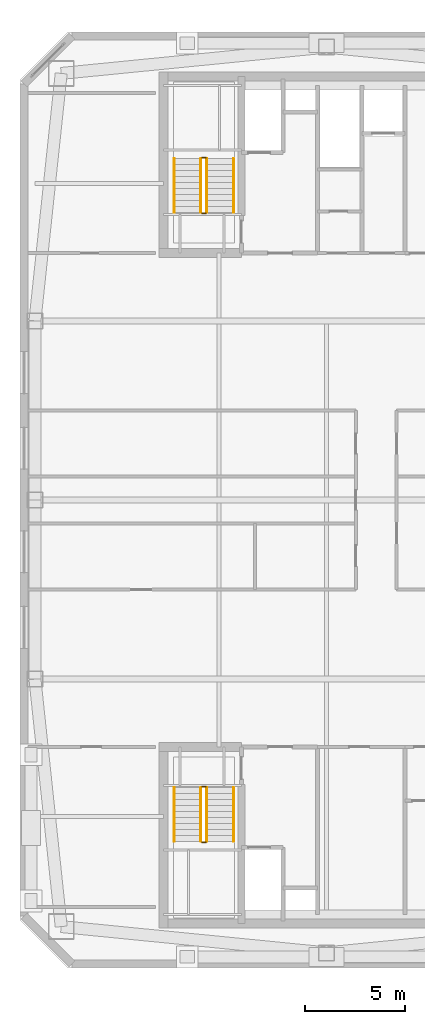
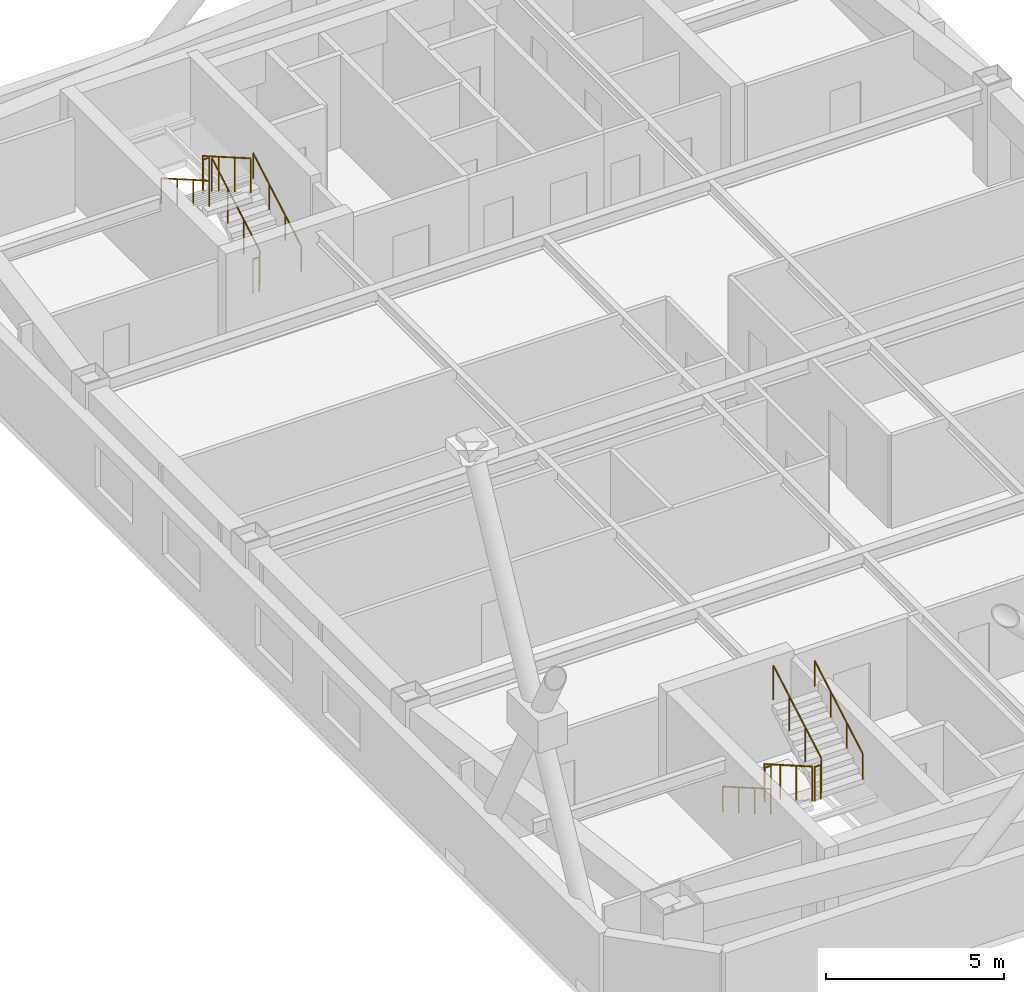
# One storey, part 19 of 20: 12 railings.
"""IFC4 building model written with IfcOpenShell, lengths in metres."""

from ifc_helpers import new_model, si_unit, direction, frame, origin, origin_2d, place, context, subcontext, project, spatial, circle, extrude, material, type_object, element, save


model = new_model("IFC4")

# Units and contexts
model_context = context("Model", 3, precision=1e-05, world=origin(), true_north=direction((0.0, 1.0)))
body_context = subcontext(model_context, "Body", "Model", "MODEL_VIEW")
ifc_project = project(units=[si_unit("LENGTHUNIT", "METRE"), si_unit("AREAUNIT", "SQUARE_METRE"), si_unit("VOLUMEUNIT", "CUBIC_METRE"), si_unit("PLANEANGLEUNIT", "RADIAN"), si_unit("MASSUNIT", "GRAM", prefix="KILO")], contexts=[model_context])

# Site, building, storey
site_placement = place(None, origin())
site = spatial("IfcSite", under=ifc_project, at=site_placement, CompositionType="ELEMENT")
building_placement = place(site_placement, origin())
building = spatial("IfcBuilding", under=site, at=building_placement, Name="Qiaolan Cultural Towers", CompositionType="ELEMENT")
storey_placement = place(building_placement, frame((0.0, 0.0, 223.10009765625)))
storey = spatial("IfcBuildingStorey", under=building, at=storey_placement, Name="L60", CompositionType="ELEMENT", Elevation=223.10009765625)

# Railings
ifc_material_1 = material(Name="Galvanized Painted Steel Stair Guardrail", Category="steel")
railing_type_1 = type_object("IfcRailingType", Name="RL-STAIR-GRD", PredefinedType="GUARDRAIL", material=ifc_material_1)
railing_1_placement = place(storey_placement, frame((23.68994140625, 19.550048828125, 0.17236328125)))
element("IfcRailing", 1, at=railing_1_placement, inside=storey, type_object=railing_type_1, Name="L60 ST-W1 stair guard 1", PredefinedType="GUARDRAIL", context=body_context, shape_type="SweptSolid", body=[
    extrude(circle(Radius=0.02392578125, at=origin_2d()), frame((0.0, 0.0, 1.17578125), z_axis=(0.0, -0.866903762492, 0.498475542607), x_axis=(1.0, 0.0, 0.0)), (0.0, 0.0, 1.0), 3.114501953125),
    extrude(circle(Radius=0.02099609375, at=origin_2d()), origin(), (0.0, 0.0, 1.0), 1.15185546875),
    extrude(circle(Radius=0.02099609375, at=origin_2d()), frame((0.0, -0.89990234375, 0.517578125)), (0.0, 0.0, 1.0), 1.15185546875),
    extrude(circle(Radius=0.02099609375, at=origin_2d()), frame((0.0, -1.800048828125, 1.034912109375)), (0.0, 0.0, 1.0), 1.15185546875),
    extrude(circle(Radius=0.02099609375, at=origin_2d()), frame((0.0, -2.699951171875, 1.552490234375)), (0.0, 0.0, 1.0), 1.15185546875),
])
railing_2_placement = place(storey_placement, frame((23.739990234375, 16.800048828125, 1.724853515625)))
element("IfcRailing", 2, at=railing_2_placement, inside=storey, type_object=railing_type_1, Name="L60 ST-W1 stair guard 2", PredefinedType="GUARDRAIL", context=body_context, shape_type="SweptSolid", body=[
    extrude(circle(Radius=0.02392578125, at=origin_2d()), frame((0.0, 0.0, 1.17578125), z_axis=(1.0, 0.0, 0.0), x_axis=(0.0, 1.0, 0.0)), (0.0, 0.0, 1.0), 0.199951171875),
    extrude(circle(Radius=0.02099609375, at=origin_2d()), origin(), (0.0, 0.0, 1.0), 1.15185546875),
    extrude(circle(Radius=0.02099609375, at=origin_2d()), frame((0.199951171875, 0.0, 0.0)), (0.0, 0.0, 1.0), 1.15185546875),
])
railing_3_placement = place(storey_placement, frame((23.989990234375, 16.85009765625, 1.8974609375)))
element("IfcRailing", 3, at=railing_3_placement, inside=storey, type_object=railing_type_1, Name="L60 ST-W1 stair guard 3", PredefinedType="GUARDRAIL", context=body_context, shape_type="SweptSolid", body=[
    extrude(circle(Radius=0.02392578125, at=origin_2d()), frame((0.0, 0.0, 1.17578125), z_axis=(0.0, 0.866903762492, 0.498475542607), x_axis=(-1.0, 0.0, 0.0)), (0.0, 0.0, 1.0), 3.114501953125),
    extrude(circle(Radius=0.02099609375, at=origin_2d()), origin(), (0.0, 0.0, 1.0), 1.15185546875),
    extrude(circle(Radius=0.02099609375, at=origin_2d()), frame((0.0, 0.89990234375, 0.517578125)), (0.0, 0.0, 1.0), 1.15185546875),
    extrude(circle(Radius=0.02099609375, at=origin_2d()), frame((0.0, 1.800048828125, 1.034912109375)), (0.0, 0.0, 1.0), 1.15185546875),
    extrude(circle(Radius=0.02099609375, at=origin_2d()), frame((0.0, 2.699951171875, 1.552490234375)), (0.0, 0.0, 1.0), 1.15185546875),
])
railing_4_placement = place(storey_placement, frame((23.739990234375, 19.60009765625, 0.0)))
element("IfcRailing", 4, at=railing_4_placement, inside=storey, type_object=railing_type_1, Name="L60 ST-W1 stair guard 4", PredefinedType="GUARDRAIL", context=body_context, shape_type="SweptSolid", body=[
    extrude(circle(Radius=0.02392578125, at=origin_2d()), frame((0.0, 0.0, 1.17578125), z_axis=(1.0, 0.0, 0.0), x_axis=(0.0, 1.0, 0.0)), (0.0, 0.0, 1.0), 0.199951171875),
    extrude(circle(Radius=0.02099609375, at=origin_2d()), origin(), (0.0, 0.0, 1.0), 1.15185546875),
    extrude(circle(Radius=0.02099609375, at=origin_2d()), frame((0.199951171875, 0.0, 0.0)), (0.0, 0.0, 1.0), 1.15185546875),
])
railing_5_placement = place(storey_placement, frame((23.989990234375, 48.449951171875, 0.17236328125)))
element("IfcRailing", 5, at=railing_5_placement, inside=storey, type_object=railing_type_1, Name="L60 ST-W2 stair guard 1", PredefinedType="GUARDRAIL", context=body_context, shape_type="SweptSolid", body=[
    extrude(circle(Radius=0.02392578125, at=origin_2d()), frame((0.0, 0.0, 1.17578125), z_axis=(0.0, 0.866903762492, 0.498475542607), x_axis=(-1.0, 0.0, 0.0)), (0.0, 0.0, 1.0), 3.114501953125),
    extrude(circle(Radius=0.02099609375, at=origin_2d()), origin(), (0.0, 0.0, 1.0), 1.15185546875),
    extrude(circle(Radius=0.02099609375, at=origin_2d()), frame((0.0, 0.89990234375, 0.517578125)), (0.0, 0.0, 1.0), 1.15185546875),
    extrude(circle(Radius=0.02099609375, at=origin_2d()), frame((0.0, 1.800048828125, 1.034912109375)), (0.0, 0.0, 1.0), 1.15185546875),
    extrude(circle(Radius=0.02099609375, at=origin_2d()), frame((0.0, 2.699951171875, 1.552490234375)), (0.0, 0.0, 1.0), 1.15185546875),
])
railing_6_placement = place(storey_placement, frame((23.93994140625, 51.199951171875, 1.724853515625)))
element("IfcRailing", 6, at=railing_6_placement, inside=storey, type_object=railing_type_1, Name="L60 ST-W2 stair guard 2", PredefinedType="GUARDRAIL", context=body_context, shape_type="SweptSolid", body=[
    extrude(circle(Radius=0.02392578125, at=origin_2d()), frame((0.0, 0.0, 1.17578125), z_axis=(-1.0, 0.0, 0.0), x_axis=(0.0, -1.0, 0.0)), (0.0, 0.0, 1.0), 0.199951171875),
    extrude(circle(Radius=0.02099609375, at=origin_2d()), origin(), (0.0, 0.0, 1.0), 1.15185546875),
    extrude(circle(Radius=0.02099609375, at=origin_2d()), frame((-0.199951171875, 0.0, 0.0)), (0.0, 0.0, 1.0), 1.15185546875),
])
railing_7_placement = place(storey_placement, frame((23.68994140625, 51.14990234375, 1.8974609375)))
element("IfcRailing", 7, at=railing_7_placement, inside=storey, type_object=railing_type_1, Name="L60 ST-W2 stair guard 3", PredefinedType="GUARDRAIL", context=body_context, shape_type="SweptSolid", body=[
    extrude(circle(Radius=0.02392578125, at=origin_2d()), frame((0.0, 0.0, 1.17578125), z_axis=(0.0, -0.866903762492, 0.498475542607), x_axis=(1.0, 0.0, 0.0)), (0.0, 0.0, 1.0), 3.114501953125),
    extrude(circle(Radius=0.02099609375, at=origin_2d()), origin(), (0.0, 0.0, 1.0), 1.15185546875),
    extrude(circle(Radius=0.02099609375, at=origin_2d()), frame((0.0, -0.89990234375, 0.517578125)), (0.0, 0.0, 1.0), 1.15185546875),
    extrude(circle(Radius=0.02099609375, at=origin_2d()), frame((0.0, -1.800048828125, 1.034912109375)), (0.0, 0.0, 1.0), 1.15185546875),
    extrude(circle(Radius=0.02099609375, at=origin_2d()), frame((0.0, -2.699951171875, 1.552490234375)), (0.0, 0.0, 1.0), 1.15185546875),
])
railing_8_placement = place(storey_placement, frame((23.93994140625, 48.39990234375, 0.0)))
element("IfcRailing", 8, at=railing_8_placement, inside=storey, type_object=railing_type_1, Name="L60 ST-W2 stair guard 4", PredefinedType="GUARDRAIL", context=body_context, shape_type="SweptSolid", body=[
    extrude(circle(Radius=0.02392578125, at=origin_2d()), frame((0.0, 0.0, 1.17578125), z_axis=(-1.0, 0.0, 0.0), x_axis=(0.0, -1.0, 0.0)), (0.0, 0.0, 1.0), 0.199951171875),
    extrude(circle(Radius=0.02099609375, at=origin_2d()), origin(), (0.0, 0.0, 1.0), 1.15185546875),
    extrude(circle(Radius=0.02099609375, at=origin_2d()), frame((-0.199951171875, 0.0, 0.0)), (0.0, 0.0, 1.0), 1.15185546875),
])
ifc_material_2 = material(Name="Stainless Steel S30408 Tubular Handrail", Category="steel")
railing_type_2 = type_object("IfcRailingType", Name="RL-STAIR-HR", PredefinedType="HANDRAIL", material=ifc_material_2)
railing_9_placement = place(storey_placement, frame((22.35009765625, 19.550048828125, 0.17236328125)))
element("IfcRailing", 9, at=railing_9_placement, inside=storey, type_object=railing_type_2, Name="L60 ST-W1 stair handrail 1", PredefinedType="HANDRAIL", context=body_context, shape_type="SweptSolid", body=[
    extrude(circle(Radius=0.02392578125, at=origin_2d()), frame((0.0, 0.0, 0.8759765625), z_axis=(0.0, -0.866903762492, 0.498475542607), x_axis=(1.0, 0.0, 0.0)), (0.0, 0.0, 1.0), 3.114501953125),
    extrude(circle(Radius=0.02099609375, at=origin_2d()), origin(), (0.0, 0.0, 1.0), 0.851806640625),
    extrude(circle(Radius=0.02099609375, at=origin_2d()), frame((0.0, -0.89990234375, 0.517578125)), (0.0, 0.0, 1.0), 0.851806640625),
    extrude(circle(Radius=0.02099609375, at=origin_2d()), frame((0.0, -1.800048828125, 1.034912109375)), (0.0, 0.0, 1.0), 0.851806640625),
    extrude(circle(Radius=0.02099609375, at=origin_2d()), frame((0.0, -2.699951171875, 1.552490234375)), (0.0, 0.0, 1.0), 0.851806640625),
])
for number, where, name in (
    (10, (25.330078125, 16.85009765625, 1.8974609375), "L60 ST-W1 stair handrail 2"),
    (11, (25.330078125, 48.449951171875, 0.17236328125), "L60 ST-W2 stair handrail 1"),
):
    element("IfcRailing", number, at=place(storey_placement, frame(where)), inside=storey, type_object=railing_type_2, Name=name, PredefinedType="HANDRAIL", context=body_context, shape_type="SweptSolid", body=[
        extrude(circle(Radius=0.02392578125, at=origin_2d()), frame((0.0, 0.0, 0.8759765625), z_axis=(0.0, 0.866903762492, 0.498475542607), x_axis=(-1.0, 0.0, 0.0)), (0.0, 0.0, 1.0), 3.114501953125),
        extrude(circle(Radius=0.02099609375, at=origin_2d()), origin(), (0.0, 0.0, 1.0), 0.851806640625),
        extrude(circle(Radius=0.02099609375, at=origin_2d()), frame((0.0, 0.89990234375, 0.517578125)), (0.0, 0.0, 1.0), 0.851806640625),
        extrude(circle(Radius=0.02099609375, at=origin_2d()), frame((0.0, 1.800048828125, 1.034912109375)), (0.0, 0.0, 1.0), 0.851806640625),
        extrude(circle(Radius=0.02099609375, at=origin_2d()), frame((0.0, 2.699951171875, 1.552490234375)), (0.0, 0.0, 1.0), 0.851806640625),
    ])
railing_10_placement = place(storey_placement, frame((22.35009765625, 51.14990234375, 1.8974609375)))
element("IfcRailing", 12, at=railing_10_placement, inside=storey, type_object=railing_type_2, Name="L60 ST-W2 stair handrail 2", PredefinedType="HANDRAIL", context=body_context, shape_type="SweptSolid", body=[
    extrude(circle(Radius=0.02392578125, at=origin_2d()), frame((0.0, 0.0, 0.8759765625), z_axis=(0.0, -0.866903762492, 0.498475542607), x_axis=(1.0, 0.0, 0.0)), (0.0, 0.0, 1.0), 3.114501953125),
    extrude(circle(Radius=0.02099609375, at=origin_2d()), origin(), (0.0, 0.0, 1.0), 0.851806640625),
    extrude(circle(Radius=0.02099609375, at=origin_2d()), frame((0.0, -0.89990234375, 0.517578125)), (0.0, 0.0, 1.0), 0.851806640625),
    extrude(circle(Radius=0.02099609375, at=origin_2d()), frame((0.0, -1.800048828125, 1.034912109375)), (0.0, 0.0, 1.0), 0.851806640625),
    extrude(circle(Radius=0.02099609375, at=origin_2d()), frame((0.0, -2.699951171875, 1.552490234375)), (0.0, 0.0, 1.0), 0.851806640625),
])

save(model, "model.ifc")
